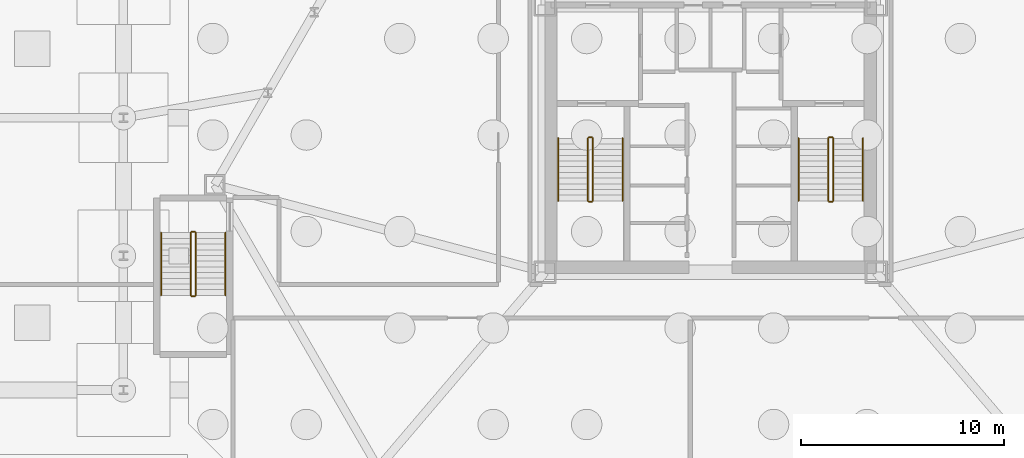
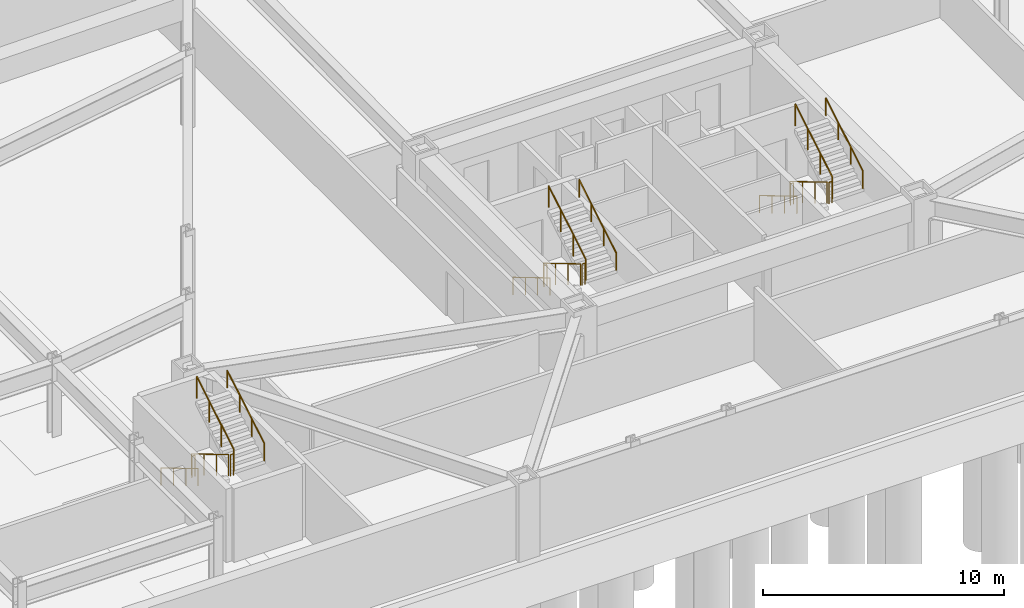
# One storey, part 8 of 8: 18 railings.
"""IFC4 building model written with IfcOpenShell, lengths in metres."""

from ifc_helpers import new_model, si_unit, direction, frame, origin, origin_2d, place, context, subcontext, project, spatial, circle, extrude, material, type_object, element, save


model = new_model("IFC4")

# Units and contexts
model_context = context("Model", 3, precision=1e-05, world=origin(), true_north=direction((0.0, 1.0)))
body_context = subcontext(model_context, "Body", "Model", "MODEL_VIEW")
ifc_project = project(units=[si_unit("LENGTHUNIT", "METRE"), si_unit("AREAUNIT", "SQUARE_METRE"), si_unit("VOLUMEUNIT", "CUBIC_METRE"), si_unit("PLANEANGLEUNIT", "RADIAN"), si_unit("MASSUNIT", "GRAM", prefix="KILO")], contexts=[model_context])

# Site, building, storey
site_placement = place(None, origin())
site = spatial("IfcSite", under=ifc_project, at=site_placement, CompositionType="ELEMENT")
building_placement = place(site_placement, origin())
building = spatial("IfcBuilding", under=site, at=building_placement, Name="Oramaril Tower", CompositionType="ELEMENT")
storey_placement = place(building_placement, frame((0.0, 0.0, -8.0)))
storey = spatial("IfcBuildingStorey", under=building, at=storey_placement, Name="B02", CompositionType="ELEMENT", Elevation=-8.0)

# Railings
ifc_material_1 = material(Name="Stainless Steel 316L", Category="steel")
railing_type_1 = type_object("IfcRailingType", Name="RLT-GRD", PredefinedType="GUARDRAIL", material=ifc_material_1)
railing_1_placement = place(storey_placement, frame((31.4599609375, 17.590087890625, 0.166748046875)))
element("IfcRailing", 1, at=railing_1_placement, inside=storey, type_object=railing_type_1, Name="B02 ST-1 stair guard 1", PredefinedType="GUARDRAIL", context=body_context, shape_type="SweptSolid", body=[
    extrude(circle(Radius=0.02392578125, at=origin_2d()), frame((0.0, 0.0, 1.076171875), z_axis=(0.0, -0.859308565015, 0.511457515432), x_axis=(1.0, 0.0, 0.0)), (0.0, 0.0, 1.0), 3.58447265625),
    extrude(circle(Radius=0.02099609375, at=origin_2d()), origin(), (0.0, 0.0, 1.0), 1.052001953125),
    extrude(circle(Radius=0.02099609375, at=origin_2d()), frame((0.0, -1.026611328125, 0.611083984375)), (0.0, 0.0, 1.0), 1.052001953125),
    extrude(circle(Radius=0.02099609375, at=origin_2d()), frame((0.0, -2.053466796875, 1.22216796875)), (0.0, 0.0, 1.0), 1.052001953125),
    extrude(circle(Radius=0.02099609375, at=origin_2d()), frame((0.0, -3.080078125, 1.833251953125)), (0.0, 0.0, 1.0), 1.052001953125),
])
railing_2_placement = place(storey_placement, frame((31.510009765625, 14.4599609375, 2.0)))
element("IfcRailing", 2, at=railing_2_placement, inside=storey, type_object=railing_type_1, Name="B02 ST-1 stair guard 2", PredefinedType="GUARDRAIL", context=body_context, shape_type="SweptSolid", body=[
    extrude(circle(Radius=0.02392578125, at=origin_2d()), frame((0.0, 0.0, 1.076171875), z_axis=(1.0, 0.0, 0.0), x_axis=(0.0, 1.0, 0.0)), (0.0, 0.0, 1.0), 0.14990234375),
    extrude(circle(Radius=0.02099609375, at=origin_2d()), origin(), (0.0, 0.0, 1.0), 1.052001953125),
    extrude(circle(Radius=0.02099609375, at=origin_2d()), frame((0.14990234375, 0.0, 0.0)), (0.0, 0.0, 1.0), 1.052001953125),
])
railing_3_placement = place(storey_placement, frame((31.7099609375, 14.510009765625, 2.166748046875)))
element("IfcRailing", 3, at=railing_3_placement, inside=storey, type_object=railing_type_1, Name="B02 ST-1 stair guard 3", PredefinedType="GUARDRAIL", context=body_context, shape_type="SweptSolid", body=[
    extrude(circle(Radius=0.02392578125, at=origin_2d()), frame((0.0, 0.0, 1.076171875), z_axis=(0.0, 0.859308565015, 0.511457515432), x_axis=(-1.0, 0.0, 0.0)), (0.0, 0.0, 1.0), 3.58447265625),
    extrude(circle(Radius=0.02099609375, at=origin_2d()), origin(), (0.0, 0.0, 1.0), 1.052001953125),
    extrude(circle(Radius=0.02099609375, at=origin_2d()), frame((0.0, 1.026611328125, 0.611083984375)), (0.0, 0.0, 1.0), 1.052001953125),
    extrude(circle(Radius=0.02099609375, at=origin_2d()), frame((0.0, 2.053466796875, 1.22216796875)), (0.0, 0.0, 1.0), 1.052001953125),
    extrude(circle(Radius=0.02099609375, at=origin_2d()), frame((0.0, 3.080078125, 1.833251953125)), (0.0, 0.0, 1.0), 1.052001953125),
])
railing_4_placement = place(storey_placement, frame((31.510009765625, 17.639892578125, 0.0)))
element("IfcRailing", 4, at=railing_4_placement, inside=storey, type_object=railing_type_1, Name="B02 ST-1 stair guard 4", PredefinedType="GUARDRAIL", context=body_context, shape_type="SweptSolid", body=[
    extrude(circle(Radius=0.02392578125, at=origin_2d()), frame((0.0, 0.0, 1.076171875), z_axis=(1.0, 0.0, 0.0), x_axis=(0.0, 1.0, 0.0)), (0.0, 0.0, 1.0), 0.14990234375),
    extrude(circle(Radius=0.02099609375, at=origin_2d()), origin(), (0.0, 0.0, 1.0), 1.052001953125),
    extrude(circle(Radius=0.02099609375, at=origin_2d()), frame((0.14990234375, 0.0, 0.0)), (0.0, 0.0, 1.0), 1.052001953125),
])
railing_5_placement = place(storey_placement, frame((43.2900390625, 17.590087890625, 0.166748046875)))
element("IfcRailing", 5, at=railing_5_placement, inside=storey, type_object=railing_type_1, Name="B02 ST-2 stair guard 1", PredefinedType="GUARDRAIL", context=body_context, shape_type="SweptSolid", body=[
    extrude(circle(Radius=0.02392578125, at=origin_2d()), frame((0.0, 0.0, 1.076171875), z_axis=(0.0, -0.859308565015, 0.511457515432), x_axis=(1.0, 0.0, 0.0)), (0.0, 0.0, 1.0), 3.58447265625),
    extrude(circle(Radius=0.02099609375, at=origin_2d()), origin(), (0.0, 0.0, 1.0), 1.052001953125),
    extrude(circle(Radius=0.02099609375, at=origin_2d()), frame((0.0, -1.026611328125, 0.611083984375)), (0.0, 0.0, 1.0), 1.052001953125),
    extrude(circle(Radius=0.02099609375, at=origin_2d()), frame((0.0, -2.053466796875, 1.22216796875)), (0.0, 0.0, 1.0), 1.052001953125),
    extrude(circle(Radius=0.02099609375, at=origin_2d()), frame((0.0, -3.080078125, 1.833251953125)), (0.0, 0.0, 1.0), 1.052001953125),
])
railing_6_placement = place(storey_placement, frame((43.340087890625, 14.4599609375, 2.0)))
element("IfcRailing", 6, at=railing_6_placement, inside=storey, type_object=railing_type_1, Name="B02 ST-2 stair guard 2", PredefinedType="GUARDRAIL", context=body_context, shape_type="SweptSolid", body=[
    extrude(circle(Radius=0.02392578125, at=origin_2d()), frame((0.0, 0.0, 1.076171875), z_axis=(1.0, 0.0, 0.0), x_axis=(0.0, 1.0, 0.0)), (0.0, 0.0, 1.0), 0.14990234375),
    extrude(circle(Radius=0.02099609375, at=origin_2d()), origin(), (0.0, 0.0, 1.0), 1.052001953125),
    extrude(circle(Radius=0.02099609375, at=origin_2d()), frame((0.14990234375, 0.0, 0.0)), (0.0, 0.0, 1.0), 1.052001953125),
])
railing_7_placement = place(storey_placement, frame((43.5400390625, 14.510009765625, 2.166748046875)))
element("IfcRailing", 7, at=railing_7_placement, inside=storey, type_object=railing_type_1, Name="B02 ST-2 stair guard 3", PredefinedType="GUARDRAIL", context=body_context, shape_type="SweptSolid", body=[
    extrude(circle(Radius=0.02392578125, at=origin_2d()), frame((0.0, 0.0, 1.076171875), z_axis=(0.0, 0.859308565015, 0.511457515432), x_axis=(-1.0, 0.0, 0.0)), (0.0, 0.0, 1.0), 3.58447265625),
    extrude(circle(Radius=0.02099609375, at=origin_2d()), origin(), (0.0, 0.0, 1.0), 1.052001953125),
    extrude(circle(Radius=0.02099609375, at=origin_2d()), frame((0.0, 1.026611328125, 0.611083984375)), (0.0, 0.0, 1.0), 1.052001953125),
    extrude(circle(Radius=0.02099609375, at=origin_2d()), frame((0.0, 2.053466796875, 1.22216796875)), (0.0, 0.0, 1.0), 1.052001953125),
    extrude(circle(Radius=0.02099609375, at=origin_2d()), frame((0.0, 3.080078125, 1.833251953125)), (0.0, 0.0, 1.0), 1.052001953125),
])
railing_8_placement = place(storey_placement, frame((43.340087890625, 17.639892578125, 0.0)))
element("IfcRailing", 8, at=railing_8_placement, inside=storey, type_object=railing_type_1, Name="B02 ST-2 stair guard 4", PredefinedType="GUARDRAIL", context=body_context, shape_type="SweptSolid", body=[
    extrude(circle(Radius=0.02392578125, at=origin_2d()), frame((0.0, 0.0, 1.076171875), z_axis=(1.0, 0.0, 0.0), x_axis=(0.0, 1.0, 0.0)), (0.0, 0.0, 1.0), 0.14990234375),
    extrude(circle(Radius=0.02099609375, at=origin_2d()), origin(), (0.0, 0.0, 1.0), 1.052001953125),
    extrude(circle(Radius=0.02099609375, at=origin_2d()), frame((0.14990234375, 0.0, 0.0)), (0.0, 0.0, 1.0), 1.052001953125),
])
railing_9_placement = place(storey_placement, frame((11.909912109375, 12.93994140625, 0.166748046875)))
element("IfcRailing", 9, at=railing_9_placement, inside=storey, type_object=railing_type_1, Name="B02 ST-3 stair guard 1", PredefinedType="GUARDRAIL", context=body_context, shape_type="SweptSolid", body=[
    extrude(circle(Radius=0.02392578125, at=origin_2d()), frame((0.0, 0.0, 1.076171875), z_axis=(0.0, -0.859290745958, 0.51148745235), x_axis=(1.0, 0.0, 0.0)), (0.0, 0.0, 1.0), 3.584228515625),
    extrude(circle(Radius=0.02099609375, at=origin_2d()), origin(), (0.0, 0.0, 1.0), 1.052001953125),
    extrude(circle(Radius=0.02099609375, at=origin_2d()), frame((0.0, -1.026611328125, 0.611083984375)), (0.0, 0.0, 1.0), 1.052001953125),
    extrude(circle(Radius=0.02099609375, at=origin_2d()), frame((0.0, -2.05322265625, 1.22216796875)), (0.0, 0.0, 1.0), 1.052001953125),
    extrude(circle(Radius=0.02099609375, at=origin_2d()), frame((0.0, -3.079833984375, 1.833251953125)), (0.0, 0.0, 1.0), 1.052001953125),
])
railing_10_placement = place(storey_placement, frame((11.9599609375, 9.81005859375, 2.0)))
element("IfcRailing", 10, at=railing_10_placement, inside=storey, type_object=railing_type_1, Name="B02 ST-3 stair guard 2", PredefinedType="GUARDRAIL", context=body_context, shape_type="SweptSolid", body=[
    extrude(circle(Radius=0.02392578125, at=origin_2d()), frame((0.0, 0.0, 1.076171875), z_axis=(1.0, 0.0, 0.0), x_axis=(0.0, 1.0, 0.0)), (0.0, 0.0, 1.0), 0.150146484375),
    extrude(circle(Radius=0.02099609375, at=origin_2d()), origin(), (0.0, 0.0, 1.0), 1.052001953125),
    extrude(circle(Radius=0.02099609375, at=origin_2d()), frame((0.150146484375, 0.0, 0.0)), (0.0, 0.0, 1.0), 1.052001953125),
])
railing_11_placement = place(storey_placement, frame((12.159912109375, 9.860107421875, 2.166748046875)))
element("IfcRailing", 11, at=railing_11_placement, inside=storey, type_object=railing_type_1, Name="B02 ST-3 stair guard 3", PredefinedType="GUARDRAIL", context=body_context, shape_type="SweptSolid", body=[
    extrude(circle(Radius=0.02392578125, at=origin_2d()), frame((0.0, 0.0, 1.076171875), z_axis=(0.0, 0.859290745958, 0.51148745235), x_axis=(-1.0, 0.0, 0.0)), (0.0, 0.0, 1.0), 3.584228515625),
    extrude(circle(Radius=0.02099609375, at=origin_2d()), origin(), (0.0, 0.0, 1.0), 1.052001953125),
    extrude(circle(Radius=0.02099609375, at=origin_2d()), frame((0.0, 1.026611328125, 0.611083984375)), (0.0, 0.0, 1.0), 1.052001953125),
    extrude(circle(Radius=0.02099609375, at=origin_2d()), frame((0.0, 2.05322265625, 1.22216796875)), (0.0, 0.0, 1.0), 1.052001953125),
    extrude(circle(Radius=0.02099609375, at=origin_2d()), frame((0.0, 3.079833984375, 1.833251953125)), (0.0, 0.0, 1.0), 1.052001953125),
])
railing_12_placement = place(storey_placement, frame((11.9599609375, 12.989990234375, 0.0)))
element("IfcRailing", 12, at=railing_12_placement, inside=storey, type_object=railing_type_1, Name="B02 ST-3 stair guard 4", PredefinedType="GUARDRAIL", context=body_context, shape_type="SweptSolid", body=[
    extrude(circle(Radius=0.02392578125, at=origin_2d()), frame((0.0, 0.0, 1.076171875), z_axis=(1.0, 0.0, 0.0), x_axis=(0.0, 1.0, 0.0)), (0.0, 0.0, 1.0), 0.150146484375),
    extrude(circle(Radius=0.02099609375, at=origin_2d()), origin(), (0.0, 0.0, 1.0), 1.052001953125),
    extrude(circle(Radius=0.02099609375, at=origin_2d()), frame((0.150146484375, 0.0, 0.0)), (0.0, 0.0, 1.0), 1.052001953125),
])
ifc_material_2 = material(Name="Stainless Steel 316L", Category="steel")
railing_type_2 = type_object("IfcRailingType", Name="RLT-HND", PredefinedType="HANDRAIL", material=ifc_material_2)
railing_13_placement = place(storey_placement, frame((30.0, 17.590087890625, 0.166748046875)))
element("IfcRailing", 13, at=railing_13_placement, inside=storey, type_object=railing_type_2, Name="B02 ST-1 stair handrail 1", PredefinedType="HANDRAIL", context=body_context, shape_type="SweptSolid", body=[
    extrude(circle(Radius=0.02392578125, at=origin_2d()), frame((0.0, 0.0, 0.8759765625), z_axis=(0.0, -0.859308565015, 0.511457515432), x_axis=(1.0, 0.0, 0.0)), (0.0, 0.0, 1.0), 3.58447265625),
    extrude(circle(Radius=0.02099609375, at=origin_2d()), origin(), (0.0, 0.0, 1.0), 0.851806640625),
    extrude(circle(Radius=0.02099609375, at=origin_2d()), frame((0.0, -1.026611328125, 0.611083984375)), (0.0, 0.0, 1.0), 0.851806640625),
    extrude(circle(Radius=0.02099609375, at=origin_2d()), frame((0.0, -2.053466796875, 1.22216796875)), (0.0, 0.0, 1.0), 0.851806640625),
    extrude(circle(Radius=0.02099609375, at=origin_2d()), frame((0.0, -3.080078125, 1.833251953125)), (0.0, 0.0, 1.0), 0.851806640625),
])
railing_14_placement = place(storey_placement, frame((33.169921875, 14.510009765625, 2.166748046875)))
element("IfcRailing", 14, at=railing_14_placement, inside=storey, type_object=railing_type_2, Name="B02 ST-1 stair handrail 2", PredefinedType="HANDRAIL", context=body_context, shape_type="SweptSolid", body=[
    extrude(circle(Radius=0.02392578125, at=origin_2d()), frame((0.0, 0.0, 0.8759765625), z_axis=(0.0, 0.859308565015, 0.511457515432), x_axis=(-1.0, 0.0, 0.0)), (0.0, 0.0, 1.0), 3.58447265625),
    extrude(circle(Radius=0.02099609375, at=origin_2d()), origin(), (0.0, 0.0, 1.0), 0.851806640625),
    extrude(circle(Radius=0.02099609375, at=origin_2d()), frame((0.0, 1.026611328125, 0.611083984375)), (0.0, 0.0, 1.0), 0.851806640625),
    extrude(circle(Radius=0.02099609375, at=origin_2d()), frame((0.0, 2.053466796875, 1.22216796875)), (0.0, 0.0, 1.0), 0.851806640625),
    extrude(circle(Radius=0.02099609375, at=origin_2d()), frame((0.0, 3.080078125, 1.833251953125)), (0.0, 0.0, 1.0), 0.851806640625),
])
railing_15_placement = place(storey_placement, frame((41.830078125, 17.590087890625, 0.166748046875)))
element("IfcRailing", 15, at=railing_15_placement, inside=storey, type_object=railing_type_2, Name="B02 ST-2 stair handrail 1", PredefinedType="HANDRAIL", context=body_context, shape_type="SweptSolid", body=[
    extrude(circle(Radius=0.02392578125, at=origin_2d()), frame((0.0, 0.0, 0.8759765625), z_axis=(0.0, -0.859308565015, 0.511457515432), x_axis=(1.0, 0.0, 0.0)), (0.0, 0.0, 1.0), 3.58447265625),
    extrude(circle(Radius=0.02099609375, at=origin_2d()), origin(), (0.0, 0.0, 1.0), 0.851806640625),
    extrude(circle(Radius=0.02099609375, at=origin_2d()), frame((0.0, -1.026611328125, 0.611083984375)), (0.0, 0.0, 1.0), 0.851806640625),
    extrude(circle(Radius=0.02099609375, at=origin_2d()), frame((0.0, -2.053466796875, 1.22216796875)), (0.0, 0.0, 1.0), 0.851806640625),
    extrude(circle(Radius=0.02099609375, at=origin_2d()), frame((0.0, -3.080078125, 1.833251953125)), (0.0, 0.0, 1.0), 0.851806640625),
])
railing_16_placement = place(storey_placement, frame((45.0, 14.510009765625, 2.166748046875)))
element("IfcRailing", 16, at=railing_16_placement, inside=storey, type_object=railing_type_2, Name="B02 ST-2 stair handrail 2", PredefinedType="HANDRAIL", context=body_context, shape_type="SweptSolid", body=[
    extrude(circle(Radius=0.02392578125, at=origin_2d()), frame((0.0, 0.0, 0.8759765625), z_axis=(0.0, 0.859308565015, 0.511457515432), x_axis=(-1.0, 0.0, 0.0)), (0.0, 0.0, 1.0), 3.58447265625),
    extrude(circle(Radius=0.02099609375, at=origin_2d()), origin(), (0.0, 0.0, 1.0), 0.851806640625),
    extrude(circle(Radius=0.02099609375, at=origin_2d()), frame((0.0, 1.026611328125, 0.611083984375)), (0.0, 0.0, 1.0), 0.851806640625),
    extrude(circle(Radius=0.02099609375, at=origin_2d()), frame((0.0, 2.053466796875, 1.22216796875)), (0.0, 0.0, 1.0), 0.851806640625),
    extrude(circle(Radius=0.02099609375, at=origin_2d()), frame((0.0, 3.080078125, 1.833251953125)), (0.0, 0.0, 1.0), 0.851806640625),
])
railing_17_placement = place(storey_placement, frame((10.449951171875, 12.93994140625, 0.166748046875)))
element("IfcRailing", 17, at=railing_17_placement, inside=storey, type_object=railing_type_2, Name="B02 ST-3 stair handrail 1", PredefinedType="HANDRAIL", context=body_context, shape_type="SweptSolid", body=[
    extrude(circle(Radius=0.02392578125, at=origin_2d()), frame((0.0, 0.0, 0.8759765625), z_axis=(0.0, -0.859290745958, 0.51148745235), x_axis=(1.0, 0.0, 0.0)), (0.0, 0.0, 1.0), 3.584228515625),
    extrude(circle(Radius=0.02099609375, at=origin_2d()), origin(), (0.0, 0.0, 1.0), 0.851806640625),
    extrude(circle(Radius=0.02099609375, at=origin_2d()), frame((0.0, -1.026611328125, 0.611083984375)), (0.0, 0.0, 1.0), 0.851806640625),
    extrude(circle(Radius=0.02099609375, at=origin_2d()), frame((0.0, -2.05322265625, 1.22216796875)), (0.0, 0.0, 1.0), 0.851806640625),
    extrude(circle(Radius=0.02099609375, at=origin_2d()), frame((0.0, -3.079833984375, 1.833251953125)), (0.0, 0.0, 1.0), 0.851806640625),
])
railing_18_placement = place(storey_placement, frame((13.6201171875, 9.860107421875, 2.166748046875)))
element("IfcRailing", 18, at=railing_18_placement, inside=storey, type_object=railing_type_2, Name="B02 ST-3 stair handrail 2", PredefinedType="HANDRAIL", context=body_context, shape_type="SweptSolid", body=[
    extrude(circle(Radius=0.02392578125, at=origin_2d()), frame((0.0, 0.0, 0.8759765625), z_axis=(0.0, 0.859290745958, 0.51148745235), x_axis=(-1.0, 0.0, 0.0)), (0.0, 0.0, 1.0), 3.584228515625),
    extrude(circle(Radius=0.02099609375, at=origin_2d()), origin(), (0.0, 0.0, 1.0), 0.851806640625),
    extrude(circle(Radius=0.02099609375, at=origin_2d()), frame((0.0, 1.026611328125, 0.611083984375)), (0.0, 0.0, 1.0), 0.851806640625),
    extrude(circle(Radius=0.02099609375, at=origin_2d()), frame((0.0, 2.05322265625, 1.22216796875)), (0.0, 0.0, 1.0), 0.851806640625),
    extrude(circle(Radius=0.02099609375, at=origin_2d()), frame((0.0, 3.079833984375, 1.833251953125)), (0.0, 0.0, 1.0), 0.851806640625),
])

save(model, "model.ifc")
